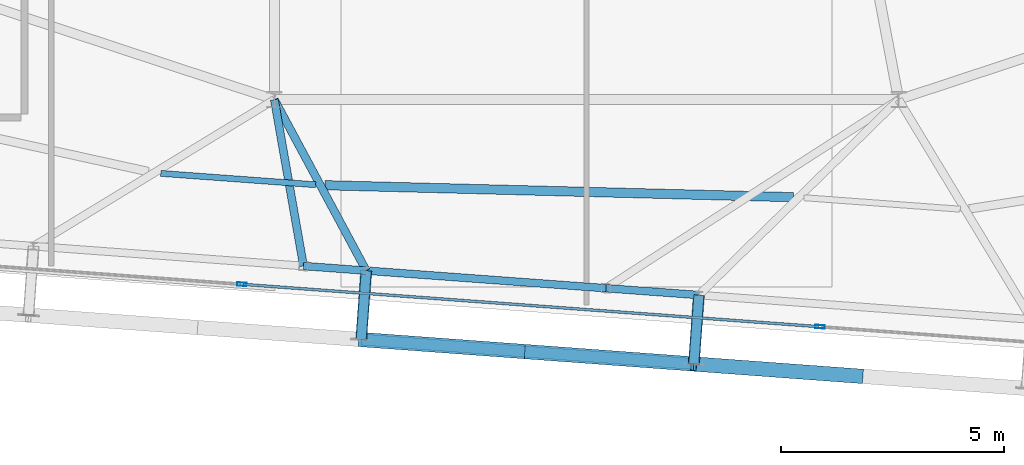
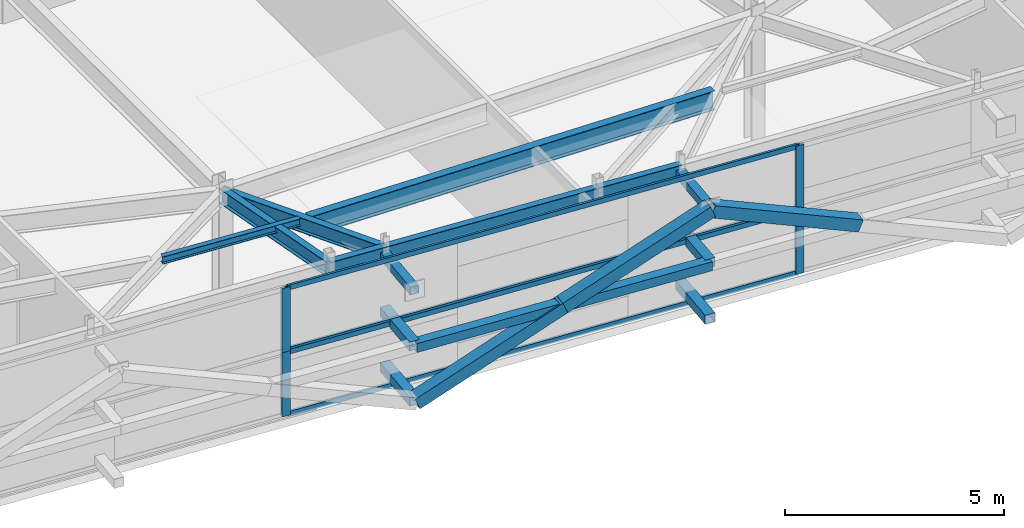
# One storey, part 11 of 35: 18 members, 7 beams, 2 elements without a shape of their own.
"""IFC4 building model written with IfcOpenShell, lengths in metres."""

from ifc_helpers import new_model, si_unit, direction, frame, origin, origin_2d, place, context, subcontext, project, spatial, hollow_rectangle, i_section, extrude, source, transform, mapped, material, layer, layer_set, material_profile, profile_set, type_object, element, aggregate, save


model = new_model("IFC4")

# Units and contexts
model_context = context("Model", 3, precision=1e-05, world=origin(), true_north=direction((0.0, 1.0)))
body_context = subcontext(model_context, "Body", "Model", "MODEL_VIEW")
ifc_project = project(units=[si_unit("LENGTHUNIT", "METRE"), si_unit("AREAUNIT", "SQUARE_METRE"), si_unit("VOLUMEUNIT", "CUBIC_METRE"), si_unit("PLANEANGLEUNIT", "RADIAN"), si_unit("MASSUNIT", "GRAM", prefix="KILO")], contexts=[model_context])

# Site, building, storey
site_placement = place(None, origin())
site = spatial("IfcSite", under=ifc_project, at=site_placement, CompositionType="ELEMENT")
building_placement = place(site_placement, origin())
building = spatial("IfcBuilding", under=site, at=building_placement, Name="Taldren Reach Tower", CompositionType="ELEMENT")
storey_placement = place(building_placement, frame((0.0, 0.0, 249.199951171875)))
storey = spatial("IfcBuildingStorey", under=building, at=storey_placement, Name="L76", CompositionType="ELEMENT", Elevation=249.199951171875)

# Members
ifc_material_1 = material(Name="Steel Gr 350 (C350L0)", Category="steel")
ifc_material_profile_1 = material_profile(ifc_material_1, hollow_rectangle(XDim=0.25, YDim=0.25, WallThickness=0.010009765625, at=origin_2d()), Name="250x250x10.0SHS")
ifc_profile_set_1 = profile_set([ifc_material_profile_1], Name="Steel Gr 350 (C350L0)")
member_type_1 = type_object("IfcMemberType", Name="MB-POST250", PredefinedType="POST", material=ifc_profile_set_1)
shared_shape_1 = source(origin(), body_context, "Body", "SweptSolid", [
    extrude(hollow_rectangle(XDim=0.25, YDim=0.25, WallThickness=0.010009765625, at=origin_2d()), origin(), (0.0, 0.0, 1.0), 1.5498046875),
])
for number, where, z_axis, x_axis, name in (
    (1, (30.060546875, 5.364501953125, 0.219970703125), (-0.073250797913, -0.997313551801, 0.0), (0.997313551801, -0.073250797913, 0.0), "Exoskeleton base diaphragm tie strut B5-S3 L76"),
    (2, (30.060546875, 5.364501953125, 1.755126953125), (-0.073250797913, -0.997313551801, 0.0), (0.997313551801, -0.073250797913, 0.0), "Exoskeleton mid-tier diaphragm tie B5-S3 L76"),
):
    element("IfcMember", number, at=place(storey_placement, frame(where, z_axis=z_axis, x_axis=x_axis)), inside=storey, type_object=member_type_1, Name=name, PredefinedType="POST", context=body_context, shape_type="MappedRepresentation", body=[
        mapped(shared_shape_1, transform((0.0, 0.0, 0.0), scale=1.0)),
    ])
shared_shape_2 = source(origin(), body_context, "Body", "SweptSolid", [
    extrude(hollow_rectangle(XDim=0.25, YDim=0.25, WallThickness=0.010009765625, at=origin_2d()), origin(), (0.0, 0.0, 1.0), 1.550048828125),
])
for number, where, z_axis, x_axis, name in (
    (3, (37.5205078125, 4.81689453125, 0.219970703125), (-0.07323929162, -0.997314396849, 0.0), (0.997314396849, -0.07323929162, 0.0), "Exoskeleton base diaphragm tie strut B5-S4 L76"),
    (4, (37.5205078125, 4.81689453125, 1.755126953125), (-0.07323929162, -0.997314396849, 0.0), (0.997314396849, -0.07323929162, 0.0), "Exoskeleton mid-tier diaphragm tie B5-S4 L76"),
):
    element("IfcMember", number, at=place(storey_placement, frame(where, z_axis=z_axis, x_axis=x_axis)), inside=storey, type_object=member_type_1, Name=name, PredefinedType="POST", context=body_context, shape_type="MappedRepresentation", body=[
        mapped(shared_shape_2, transform((0.0, 0.0, 0.0), scale=1.0)),
    ])
ifc_material_2 = material(Name="Steel Gr 450 (C450L0)", Category="steel")
ifc_material_profile_2 = material_profile(ifc_material_2, hollow_rectangle(XDim=0.219970703125, YDim=0.219970703125, WallThickness=0.00830078125, at=origin_2d()), Name="220x220x8.2SHS")
ifc_profile_set_2 = profile_set([ifc_material_profile_2], Name="Steel Gr 450 (C450L0)")
member_type_2 = type_object("IfcMemberType", Name="MB-TIE219", PredefinedType="STRUT", material=ifc_profile_set_2)
shared_shape_3 = source(origin(), body_context, "Body", "SweptSolid", [
    extrude(hollow_rectangle(XDim=0.219970703125, YDim=0.219970703125, WallThickness=0.00830078125, at=origin_2d()), origin(), (0.0, 0.0, 1.0), 1.5498046875),
])
member_1_placement = place(storey_placement, frame((30.060546875, 5.364501953125, 3.2900390625), z_axis=(-0.073250797913, -0.997313551801, 0.0), x_axis=(0.997313551801, -0.073250797913, 0.0)))
element("IfcMember", 5, at=member_1_placement, inside=storey, type_object=member_type_2, Name="Exoskeleton diaphragm tie strut B5-S3 L76", PredefinedType="STRUT", context=body_context, shape_type="MappedRepresentation", body=[
    mapped(shared_shape_3, transform((0.0, 0.0, 0.0), scale=1.0)),
])
shared_shape_4 = source(origin(), body_context, "Body", "SweptSolid", [
    extrude(hollow_rectangle(XDim=0.219970703125, YDim=0.219970703125, WallThickness=0.00830078125, at=origin_2d()), origin(), (0.0, 0.0, 1.0), 1.550048828125),
])
member_2_placement = place(storey_placement, frame((37.5205078125, 4.81689453125, 3.2900390625), z_axis=(-0.07323929162, -0.997314396849, 0.0), x_axis=(0.997314396849, -0.07323929162, 0.0)))
element("IfcMember", 6, at=member_2_placement, inside=storey, type_object=member_type_2, Name="Exoskeleton diaphragm tie strut B5-S4 L76", PredefinedType="STRUT", context=body_context, shape_type="MappedRepresentation", body=[
    mapped(shared_shape_4, transform((0.0, 0.0, 0.0), scale=1.0)),
])

# Beams
ifc_material_3 = material(Name="Steel Gr 350 (350PLUS)", Category="steel")
ifc_material_profile_3 = material_profile(ifc_material_3, i_section(OverallWidth=0.172119140625, OverallDepth=0.35888671875, WebThickness=0.008056640625, FlangeThickness=0.012939453125, at=origin_2d()), Name="360UB56.7")
ifc_profile_set_3 = profile_set([ifc_material_profile_3], Name="Steel Gr 350 (350PLUS)")
beam_type_1 = type_object("IfcBeamType", Name="SP-UB360", PredefinedType="SPANDREL", material=ifc_profile_set_3)
shared_shape_5 = source(origin(), body_context, "Body", "SweptSolid", [
    extrude(i_section(OverallWidth=0.172119140625, OverallDepth=0.35888671875, WebThickness=0.008056640625, FlangeThickness=0.012939453125, at=origin_2d()), origin(), (0.0, 0.0, 1.0), 1.41015625),
])
beam_1_placement = place(storey_placement, frame((28.654296875, 5.4677734375, 3.390625), z_axis=(0.997314324946, -0.073240270738, 0.0), x_axis=(0.073240270738, 0.997314324946, 0.0)))
element("IfcBeam", 7, at=beam_1_placement, inside=storey, type_object=beam_type_1, Name="Perimeter spandrel B5 PJ1-S3 L76", PredefinedType="SPANDREL", context=body_context, shape_type="MappedRepresentation", body=[
    mapped(shared_shape_5, transform((0.0, 0.0, 0.0), scale=1.0)),
])
shared_shape_6 = source(origin(), body_context, "Body", "SweptSolid", [
    extrude(i_section(OverallWidth=0.172119140625, OverallDepth=0.35888671875, WebThickness=0.008056640625, FlangeThickness=0.012939453125, at=origin_2d()), origin(), (0.0, 0.0, 1.0), 5.389892578125),
])
beam_2_placement = place(storey_placement, frame((30.060546875, 5.364501953125, 3.390625), z_axis=(0.997314149177, -0.073242664148, 0.0), x_axis=(0.073242664148, 0.997314149177, 0.0)))
element("IfcBeam", 8, at=beam_2_placement, inside=storey, type_object=beam_type_1, Name="Perimeter spandrel B5 S3-PJ2 L76", PredefinedType="SPANDREL", context=body_context, shape_type="MappedRepresentation", body=[
    mapped(shared_shape_6, transform((0.0, 0.0, 0.0), scale=1.0)),
])
shared_shape_7 = source(origin(), body_context, "Body", "SweptSolid", [
    extrude(i_section(OverallWidth=0.172119140625, OverallDepth=0.35888671875, WebThickness=0.008056640625, FlangeThickness=0.012939453125, at=origin_2d()), origin(), (0.0, 0.0, 1.0), 2.090087890625),
])
beam_3_placement = place(storey_placement, frame((35.43603515625, 4.9697265625, 3.390625), z_axis=(0.997322930253, -0.073122997697, 0.0), x_axis=(0.073122997697, 0.997322930253, 0.0)))
element("IfcBeam", 9, at=beam_3_placement, inside=storey, type_object=beam_type_1, Name="Perimeter spandrel B5 PJ2-S4 L76", PredefinedType="SPANDREL", context=body_context, shape_type="MappedRepresentation", body=[
    mapped(shared_shape_7, transform((0.0, 0.0, 0.0), scale=1.0)),
])
ifc_material_profile_4 = material_profile(ifc_material_3, i_section(OverallWidth=0.177978515625, OverallDepth=0.406005859375, WebThickness=0.0078125, FlangeThickness=0.0126953125, at=origin_2d()), Name="410UB59.7")
ifc_profile_set_4 = profile_set([ifc_material_profile_4], Name="Steel Gr 350 (350PLUS)")
beam_type_2 = type_object("IfcBeamType", Name="BM-UB410", PredefinedType="BEAM", material=ifc_profile_set_4)
shared_shape_8 = source(origin(), body_context, "Body", "SweptSolid", [
    extrude(i_section(OverallWidth=0.177978515625, OverallDepth=0.406005859375, WebThickness=0.0078125, FlangeThickness=0.0126953125, at=origin_2d()), origin(), (0.0, 0.0, 1.0), 3.7890625),
])
beam_4_placement = place(storey_placement, frame((28.0, 9.199951171875, 3.366943359375), z_axis=(0.172678846321, -0.984978180486, 0.0), x_axis=(0.984978180486, 0.172678846321, 0.0)))
element("IfcBeam", 10, at=beam_4_placement, inside=storey, type_object=beam_type_2, Name="Primary floor girder B5-PJ1 L76", PredefinedType="BEAM", context=body_context, shape_type="MappedRepresentation", body=[
    mapped(shared_shape_8, transform((0.0, 0.0, 0.0), scale=1.0)),
])
shared_shape_9 = source(origin(), body_context, "Body", "SweptSolid", [
    extrude(i_section(OverallWidth=0.177978515625, OverallDepth=0.406005859375, WebThickness=0.0078125, FlangeThickness=0.0126953125, at=origin_2d()), origin(), (0.0, 0.0, 1.0), 4.35400390625),
])
beam_5_placement = place(storey_placement, frame((28.0, 9.199951171875, 3.366943359375), z_axis=(0.473263645364, -0.88092083752, 0.0), x_axis=(0.88092083752, 0.473263645364, 0.0)))
element("IfcBeam", 11, at=beam_5_placement, inside=storey, type_object=beam_type_2, Name="Primary floor girder B5-S3 L76", PredefinedType="BEAM", context=body_context, shape_type="MappedRepresentation", body=[
    mapped(shared_shape_9, transform((0.0, 0.0, 0.0), scale=1.0)),
])
ifc_material_4 = material(Name="Steel Gr 300 (300PLUS, 300 MPa)", Category="steel")
ifc_material_profile_5 = material_profile(ifc_material_4, i_section(OverallWidth=0.134033203125, OverallDepth=0.20703125, WebThickness=0.00634765625, FlangeThickness=0.009521484375, at=origin_2d()), Name="200UB29.8")
ifc_profile_set_5 = profile_set([ifc_material_profile_5], Name="Steel Gr 300 (300PLUS, 300 MPa)")
beam_type_3 = type_object("IfcBeamType", Name="JS-UB200", PredefinedType="JOIST", material=ifc_profile_set_5)
shared_shape_10 = source(origin(), body_context, "Body", "SweptSolid", [
    extrude(i_section(OverallWidth=0.134033203125, OverallDepth=0.20703125, WebThickness=0.00634765625, FlangeThickness=0.009521484375, at=origin_2d()), origin(), (0.0, 0.0, 1.0), 3.481201171875),
])
beam_6_placement = place(storey_placement, frame((25.453125, 7.544921875, 3.466552734375), z_axis=(0.997316141537, -0.073215529974, 0.0), x_axis=(0.073215529974, 0.997316141537, 0.0)))
element("IfcBeam", 12, at=beam_6_placement, inside=storey, type_object=beam_type_3, Name="Secondary floor joist B5 J2 L76", PredefinedType="JOIST", context=body_context, shape_type="MappedRepresentation", body=[
    mapped(shared_shape_10, transform((0.0, 0.0, 0.0), scale=1.0)),
])
ifc_material_profile_6 = material_profile(ifc_material_3, i_section(OverallWidth=0.208984375, OverallDepth=0.532958984375, WebThickness=0.01025390625, FlangeThickness=0.015625, at=origin_2d()), Name="530UB92.4")
ifc_profile_set_6 = profile_set([ifc_material_profile_6], Name="Steel Gr 350 (350PLUS)")
beam_type_4 = type_object("IfcBeamType", Name="BM-UB530A", PredefinedType="BEAM", material=ifc_profile_set_6)
shared_shape_11 = source(origin(), body_context, "Body", "SweptSolid", [
    extrude(i_section(OverallWidth=0.208984375, OverallDepth=0.532958984375, WebThickness=0.01025390625, FlangeThickness=0.015625, at=origin_2d()), origin(), (0.0, 0.0, 1.0), 10.507080078125),
])
beam_7_placement = place(storey_placement, frame((29.132568359375, 7.27978515625, 3.303466796875), z_axis=(0.999673899449, -0.025536146143, 0.0), x_axis=(0.025536146143, 0.999673899449, 0.0)))
element("IfcBeam", 13, at=beam_7_placement, inside=storey, type_object=beam_type_4, Name="Secondary floor beam B5 J3 L76", PredefinedType="BEAM", context=body_context, shape_type="MappedRepresentation", body=[
    mapped(shared_shape_11, transform((0.0, 0.0, 0.0), scale=1.0)),
])

# Members
shared_shape_12 = source(origin(), body_context, "Body", "SweptSolid", [
    extrude(hollow_rectangle(XDim=0.25, YDim=0.25, WallThickness=0.010009765625, at=origin_2d()), origin(), (0.0, 0.0, 1.0), 7.47998046875),
])
member_3_placement = place(storey_placement, frame((29.947021484375, 3.81884765625, 1.755126953125), z_axis=(0.997314220642, -0.07324169103, 0.0), x_axis=(0.07324169103, 0.997314220642, 0.0)))
element("IfcMember", 14, at=member_3_placement, inside=storey, type_object=member_type_1, Name="Exoskeleton mid-height ring chord B5-S3 L76", PredefinedType="POST", context=body_context, shape_type="MappedRepresentation", body=[
    mapped(shared_shape_12, transform((0.0, 0.0, 0.0), scale=1.0)),
])
ifc_material_profile_7 = material_profile(ifc_material_2, hollow_rectangle(XDim=0.324951171875, YDim=0.324951171875, WallThickness=0.0126953125, at=origin_2d()), Name="325x325x12.7SHS")
ifc_profile_set_7 = profile_set([ifc_material_profile_7], Name="Steel Gr 450 (C450L0)")
member_type_3 = type_object("IfcMemberType", Name="MB-BR324", PredefinedType="BRACE", material=ifc_profile_set_7)
shared_shape_13 = source(origin(), body_context, "Body", "SweptSolid", [
    extrude(hollow_rectangle(XDim=0.324951171875, YDim=0.324951171875, WallThickness=0.0126953125, at=origin_2d()), origin(), (0.0, 0.0, 1.0), 4.042724609375),
])
for number, where, z_axis, x_axis, name in (
    (15, (29.947021484375, 3.81884765625, 0.219970703125), (0.922615641565, -0.067755907176, 0.37972294503), (0.07324169103, 0.997314220642, 0.0), "Exoskeleton Diagrid Brace B5-S3 L76"),
    (16, (33.677001953125, 3.544921875, 1.755126953125), (0.92263679702, -0.06775746081, 0.379671262133), (0.07324169103, 0.997314220642, 0.0), "Exoskeleton Diagrid Brace B5-S3 L76"),
):
    element("IfcMember", number, at=place(storey_placement, frame(where, z_axis=z_axis, x_axis=x_axis)), inside=storey, type_object=member_type_3, Name=name, PredefinedType="BRACE", context=body_context, shape_type="MappedRepresentation", body=[
        mapped(shared_shape_13, transform((0.0, 0.0, 0.0), scale=1.0)),
    ])
shared_shape_14 = source(origin(), body_context, "Body", "SweptSolid", [
    extrude(hollow_rectangle(XDim=0.324951171875, YDim=0.324951171875, WallThickness=0.0126953125, at=origin_2d()), origin(), (0.0, 0.0, 1.0), 4.04248046875),
])
member_4_placement = place(storey_placement, frame((41.13671875, 2.9970703125, 1.755126953125), z_axis=(-0.922627813795, 0.067761236308, 0.379692417708), x_axis=(-0.073246459555, -0.997313870435, 0.0)))
element("IfcMember", 17, at=member_4_placement, inside=storey, type_object=member_type_3, Name="Exoskeleton Diagrid Brace B5-S4 L76", PredefinedType="BRACE", context=body_context, shape_type="MappedRepresentation", body=[
    mapped(shared_shape_14, transform((0.0, 0.0, 0.0), scale=1.0)),
])

# Curtain wall, members
ifc_material_5 = material(Name="Aluminium and Low-E Glass Unitised System", Category="aluminium")
ifc_layer = layer(ifc_material_5, 0.159912109375)
ifc_layer_set = layer_set([ifc_layer], Name="Aluminium and Low-E Glass Unitised System")
curtain_wall_type = type_object("IfcCurtainWallType", Name="CW-SYS-6", PredefinedType="NOTDEFINED", material=ifc_layer_set)
curtain_wall_1_placement = place(storey_placement, origin())
curtain_wall_1 = element("IfcCurtainWall", 18, at=curtain_wall_1_placement, inside=storey, type_object=curtain_wall_type, Name="Unitised curtain wall CW-L76-S", PredefinedType="NOTDEFINED")
ifc_material_6 = material(Name="Anodised Aluminium 6063-T6", Category="aluminium")
ifc_material_profile_8 = material_profile(ifc_material_6, hollow_rectangle(XDim=0.06005859375, YDim=0.135009765625, WallThickness=0.00341796875, at=origin_2d()), Name="ALU-135x60x3.5RHS")
ifc_profile_set_8 = profile_set([ifc_material_profile_8], Name="Anodised Aluminium 6063-T6")
member_type_4 = type_object("IfcMemberType", Name="CW-TRN-150", PredefinedType="USERDEFINED", material=ifc_profile_set_8)
shared_shape_15 = source(origin(), body_context, "Body", "SweptSolid", [
    extrude(hollow_rectangle(XDim=0.06005859375, YDim=0.135009765625, WallThickness=0.00341796875, at=origin_2d()), origin(), (0.0, 0.0, 1.0), 12.925048828125),
])
member_5_placement = place(storey_placement, frame((27.307861328125, 5.055419921875, 0.030029296875), z_axis=(0.99731353371, -0.073251044219, 0.0), x_axis=(0.073251044219, 0.99731353371, 0.0)))
member_5 = element("IfcMember", 19, at=member_5_placement, type_object=member_type_4, Name="CW-6 transom 2.1", ObjectType="TRANSOM", PredefinedType="USERDEFINED", context=body_context, shape_type="MappedRepresentation", body=[
    mapped(shared_shape_15, transform((0.0, 0.0, 0.0), scale=1.0)),
])
member_6_placement = place(storey_placement, frame((27.307861328125, 5.055419921875, 1.755126953125), z_axis=(0.99731353371, -0.073251044219, 0.0), x_axis=(0.073251044219, 0.99731353371, 0.0)))
member_6 = element("IfcMember", 20, at=member_6_placement, type_object=member_type_4, Name="CW-6 transom 2.2", ObjectType="TRANSOM", PredefinedType="USERDEFINED", context=body_context, shape_type="MappedRepresentation", body=[
    mapped(shared_shape_15, transform((0.0, 0.0, 0.0), scale=1.0)),
])

curtain_wall_2_placement = place(storey_placement, origin())
curtain_wall_2 = element("IfcCurtainWall", 21, at=curtain_wall_2_placement, inside=storey, type_object=curtain_wall_type, Name="Unitised curtain wall CW-L76-S-T2", PredefinedType="NOTDEFINED")
member_7_placement = place(storey_placement, frame((27.307861328125, 5.055419921875, 1.81494140625), z_axis=(0.99731353371, -0.073251044219, 0.0), x_axis=(0.073251044219, 0.99731353371, 0.0)))
member_7 = element("IfcMember", 22, at=member_7_placement, type_object=member_type_4, Name="CW-6 transom 2.1", ObjectType="TRANSOM", PredefinedType="USERDEFINED", context=body_context, shape_type="MappedRepresentation", body=[
    mapped(shared_shape_15, transform((0.0, 0.0, 0.0), scale=1.0)),
])
member_8_placement = place(storey_placement, frame((27.307861328125, 5.055419921875, 3.5400390625), z_axis=(0.99731353371, -0.073251044219, 0.0), x_axis=(0.073251044219, 0.99731353371, 0.0)))
member_8 = element("IfcMember", 23, at=member_8_placement, type_object=member_type_4, Name="CW-6 transom 2.2", ObjectType="TRANSOM", PredefinedType="USERDEFINED", context=body_context, shape_type="MappedRepresentation", body=[
    mapped(shared_shape_15, transform((0.0, 0.0, 0.0), scale=1.0)),
])

# Member
ifc_material_profile_9 = material_profile(ifc_material_6, hollow_rectangle(XDim=0.074951171875, YDim=0.2099609375, WallThickness=0.00439453125, at=origin_2d()), Name="ALU-210x75x4.5RHS")
ifc_profile_set_9 = profile_set([ifc_material_profile_9], Name="Anodised Aluminium 6063-T6")
member_type_5 = type_object("IfcMemberType", Name="CW-MUL-200", PredefinedType="MULLION", material=ifc_profile_set_9)
shared_shape_16 = source(origin(), body_context, "Body", "SweptSolid", [
    extrude(hollow_rectangle(XDim=0.074951171875, YDim=0.2099609375, WallThickness=0.00439453125, at=origin_2d()), origin(), (0.0, 0.0, 1.0), 1.78515625),
])
member_9_placement = place(storey_placement, frame((27.2705078125, 5.05810546875, 0.0), z_axis=(0.0, 0.0, 1.0), x_axis=(0.073238213716, 0.997314476006, 0.0)))
member_9 = element("IfcMember", 24, at=member_9_placement, type_object=member_type_5, Name="CW-6 mullion 2", PredefinedType="MULLION", context=body_context, shape_type="MappedRepresentation", body=[
    mapped(shared_shape_16, transform((0.0, 0.0, 0.0), scale=1.0)),
])

member_10_placement = place(storey_placement, frame((40.235595703125, 4.10595703125, 0.0), z_axis=(0.0, 0.0, 1.0), x_axis=(0.073238213716, 0.997314476006, 0.0)))
member_10 = element("IfcMember", 25, at=member_10_placement, type_object=member_type_5, Name="CW-6 mullion 3", PredefinedType="MULLION", context=body_context, shape_type="MappedRepresentation", body=[
    mapped(shared_shape_16, transform((0.0, 0.0, 0.0), scale=1.0)),
])

aggregate(curtain_wall_1, [member_9, member_10, member_5, member_6])

shared_shape_17 = source(origin(), body_context, "Body", "SweptSolid", [
    extrude(hollow_rectangle(XDim=0.074951171875, YDim=0.2099609375, WallThickness=0.00439453125, at=origin_2d()), origin(), (0.0, 0.0, 1.0), 1.784912109375),
])
member_11_placement = place(storey_placement, frame((27.2705078125, 5.05810546875, 1.78515625), z_axis=(0.0, 0.0, 1.0), x_axis=(0.073238213716, 0.997314476006, 0.0)))
member_11 = element("IfcMember", 26, at=member_11_placement, type_object=member_type_5, Name="CW-6 mullion 2", PredefinedType="MULLION", context=body_context, shape_type="MappedRepresentation", body=[
    mapped(shared_shape_17, transform((0.0, 0.0, 0.0), scale=1.0)),
])

member_12_placement = place(storey_placement, frame((40.235595703125, 4.10595703125, 1.78515625), z_axis=(0.0, 0.0, 1.0), x_axis=(0.073238213716, 0.997314476006, 0.0)))
member_12 = element("IfcMember", 27, at=member_12_placement, type_object=member_type_5, Name="CW-6 mullion 3", PredefinedType="MULLION", context=body_context, shape_type="MappedRepresentation", body=[
    mapped(shared_shape_17, transform((0.0, 0.0, 0.0), scale=1.0)),
])

aggregate(curtain_wall_2, [member_11, member_12, member_7, member_8])

save(model, "model.ifc")
